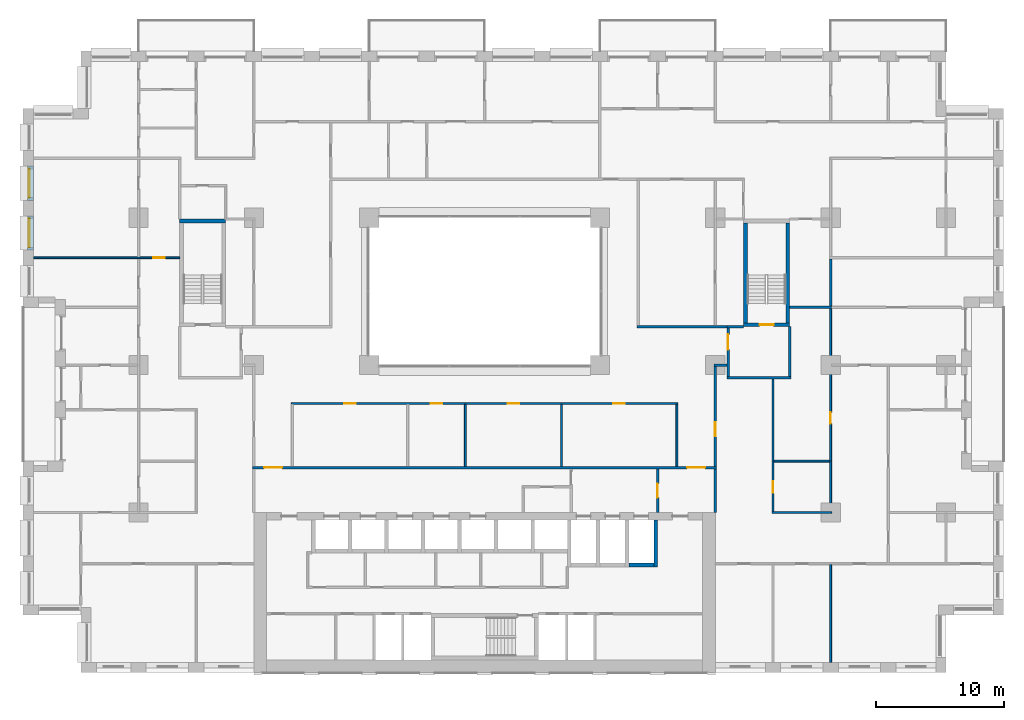
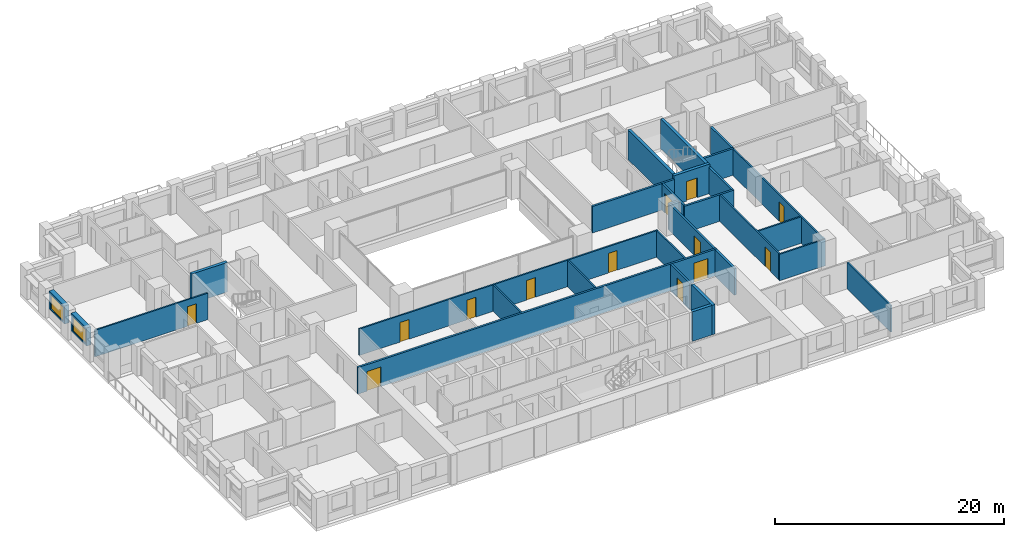
# One storey, part 12 of 20: 30 walls, 13 doors, 2 windows, 15 openings.
"""IFC4 building model written with IfcOpenShell, lengths in metres."""

from ifc_helpers import new_model, si_unit, direction, frame, frame_2d, origin, place, context, subcontext, project, spatial, rectangle, extrude, material, layer, layer_set, type_object, element, fill, save


model = new_model("IFC4")

# Units and contexts
model_context = context("Model", 3, precision=1e-05, world=origin(), true_north=direction((0.0, 1.0)))
body_context = subcontext(model_context, "Body", "Model", "MODEL_VIEW")
ifc_project = project(units=[si_unit("LENGTHUNIT", "METRE"), si_unit("AREAUNIT", "SQUARE_METRE"), si_unit("VOLUMEUNIT", "CUBIC_METRE"), si_unit("PLANEANGLEUNIT", "RADIAN"), si_unit("MASSUNIT", "GRAM", prefix="KILO")], contexts=[model_context])

# Site, building, storey
site_placement = place(None, origin())
site = spatial("IfcSite", under=ifc_project, at=site_placement, CompositionType="ELEMENT")
building_placement = place(site_placement, origin())
building = spatial("IfcBuilding", under=site, at=building_placement, Name="Brigalow Station Residences", CompositionType="ELEMENT")
storey_placement = place(building_placement, frame((0.0, 0.0, 66.75)))
storey = spatial("IfcBuildingStorey", under=building, at=storey_placement, Name="L19", CompositionType="ELEMENT", Elevation=66.75)

# Wall, opening, window
ifc_material_1 = material(Name="Clay brick masonry", Category="masonry")
ifc_layer_1 = layer(ifc_material_1, 0.449951171875)
ifc_layer_set_1 = layer_set([ifc_layer_1], Name="BRICK INFILL WALL 450")
wall_type_1 = type_object("IfcWallType", Name="BRICK INFILL WALL 450", PredefinedType="SOLIDWALL", material=ifc_layer_set_1)
wall_1_placement = place(storey_placement, frame((0.574951171875, 39.52490234375, 0.89990234375), z_axis=(0.0, 0.0, 1.0), x_axis=(0.0, -1.0, 0.0)))
wall_1 = element("IfcWall", 1, at=wall_1_placement, inside=storey, type_object=wall_type_1, Name="L19/ewall/W-L19-43", PredefinedType="SOLIDWALL", context=body_context, shape_type="SweptSolid", body=[
    extrude(rectangle(XDim=2.6748046875, YDim=0.449951171875, at=frame_2d((1.33740234375, 0.0))), origin(), (0.0, 0.0, 1.0), 1.93017578125),
])
opening_1_placement = place(wall_1_placement, frame((0.21240234375, 0.0, 0.14990234375)))
opening_1 = element("IfcOpeningElement", 2, at=opening_1_placement, cuts=wall_1, Name="Opening WT-6", PredefinedType="OPENING", context=body_context, shape_type="SweptSolid", body=[
    extrude(rectangle(XDim=2.25, YDim=1.5, at=frame_2d((1.125, 0.75))), frame((0.0, 0.23486328125, 0.0), z_axis=(0.0, -1.0, 0.0), x_axis=(1.0, 0.0, 0.0)), (0.0, 0.0, 1.0), 0.469970703125),
])
ifc_material_2 = material(Name="Anodised aluminium frame with double glazing", Category="aluminium")
window_type = type_object("IfcWindowType", Name="WINDOW 2250x1500", PartitioningType="SINGLE_PANEL", PredefinedType="WINDOW", material=ifc_material_2)
window_1_placement = place(opening_1_placement, origin())
window_1 = element("IfcWindow", 3, at=window_1_placement, inside=storey, type_object=window_type, Name="L19/window/W-L19-43", OverallHeight=1.5, OverallWidth=2.25, PartitioningType="SINGLE_PANEL", PredefinedType="WINDOW", context=body_context, shape_type="SweptSolid", body=[
    extrude(rectangle(XDim=2.25, YDim=1.5, at=frame_2d((1.125, 0.75))), frame((0.0, -0.06494140625, 0.0), z_axis=(0.0, -1.0, 0.0), x_axis=(1.0, 0.0, 0.0)), (0.0, 0.0, 1.0), 0.06005859375),
])
fill(opening_1, window_1)

wall_2_placement = place(storey_placement, frame((0.574951171875, 35.64990234375, 0.89990234375), z_axis=(0.0, 0.0, 1.0), x_axis=(0.0, -1.0, 0.0)))
wall_2 = element("IfcWall", 4, at=wall_2_placement, inside=storey, type_object=wall_type_1, Name="L19/ewall/W-L19-44", PredefinedType="SOLIDWALL", context=body_context, shape_type="SweptSolid", body=[
    extrude(rectangle(XDim=2.6748046875, YDim=0.449951171875, at=frame_2d((1.33740234375, 0.0))), origin(), (0.0, 0.0, 1.0), 1.93017578125),
])
opening_2_placement = place(wall_2_placement, frame((0.21240234375, 0.0, 0.14990234375)))
opening_2 = element("IfcOpeningElement", 5, at=opening_2_placement, cuts=wall_2, Name="Opening WT-6", PredefinedType="OPENING", context=body_context, shape_type="SweptSolid", body=[
    extrude(rectangle(XDim=2.25, YDim=1.5, at=frame_2d((1.125, 0.75))), frame((0.0, 0.23486328125, 0.0), z_axis=(0.0, -1.0, 0.0), x_axis=(1.0, 0.0, 0.0)), (0.0, 0.0, 1.0), 0.469970703125),
])
window_2_placement = place(opening_2_placement, origin())
window_2 = element("IfcWindow", 6, at=window_2_placement, inside=storey, type_object=window_type, Name="L19/window/W-L19-44", OverallHeight=1.5, OverallWidth=2.25, PartitioningType="SINGLE_PANEL", PredefinedType="WINDOW", context=body_context, shape_type="SweptSolid", body=[
    extrude(rectangle(XDim=2.25, YDim=1.5, at=frame_2d((1.125, 0.75))), frame((0.0, -0.06494140625, 0.0), z_axis=(0.0, -1.0, 0.0), x_axis=(1.0, 0.0, 0.0)), (0.0, 0.0, 1.0), 0.06005859375),
])
fill(opening_2, window_2)

# Walls
ifc_material_3 = material(Name="Concrete C80", Category="concrete")
ifc_layer_2 = layer(ifc_material_3, 0.300048828125)
ifc_layer_set_2 = layer_set([ifc_layer_2], Name="CORE SHEAR WALL 300 C80")
wall_type_2 = type_object("IfcWallType", Name="CORE SHEAR WALL 300 C80", PredefinedType="SHEAR", material=ifc_layer_set_2)
wall_3_placement = place(storey_placement, frame((47.25, 8.39990234375, 0.0), z_axis=(0.0, 0.0, 1.0), x_axis=(1.0, 0.0, 0.0)))
element("IfcWall", 7, at=wall_3_placement, inside=storey, type_object=wall_type_2, Name="CORE WALL SH-SL1-S L19", PredefinedType="SHEAR", context=body_context, shape_type="SweptSolid", body=[
    extrude(rectangle(XDim=1.949951171875, YDim=0.300048828125, at=frame_2d((0.97509765625, 0.0))), origin(), (0.0, 0.0, 1.0), 3.14990234375),
])
wall_4_placement = place(storey_placement, frame((49.35009765625, 8.25, 0.0), z_axis=(0.0, 0.0, 1.0), x_axis=(0.0, 1.0, 0.0)))
element("IfcWall", 8, at=wall_4_placement, inside=storey, type_object=wall_type_2, Name="CORE WALL SH-SL1-E L19", PredefinedType="SHEAR", context=body_context, shape_type="SweptSolid", body=[
    extrude(rectangle(XDim=3.64990234375, YDim=0.300048828125, at=frame_2d((1.824951171875, 0.0))), origin(), (0.0, 0.0, 1.0), 3.14990234375),
])
wall_5_placement = place(storey_placement, frame((12.199951171875, 35.25, 0.0), z_axis=(0.0, 0.0, 1.0), x_axis=(1.0, 0.0, 0.0)))
element("IfcWall", 9, at=wall_5_placement, inside=storey, type_object=wall_type_2, Name="CORE WALL ST-S1-N L19", PredefinedType="SHEAR", context=body_context, shape_type="SweptSolid", body=[
    extrude(rectangle(XDim=3.60009765625, YDim=0.300048828125, at=frame_2d((1.800048828125, 0.0))), origin(), (0.0, 0.0, 1.0), 3.14990234375),
])

# Wall, opening, door
wall_6_placement = place(storey_placement, frame((56.199951171875, 27.14990234375, 0.0), z_axis=(0.0, 0.0, 1.0), x_axis=(1.0, 0.0, 0.0)))
wall_6 = element("IfcWall", 10, at=wall_6_placement, inside=storey, type_object=wall_type_2, Name="CORE WALL ST-S3-S L19", PredefinedType="SHEAR", context=body_context, shape_type="SweptSolid", body=[
    extrude(rectangle(XDim=3.60009765625, YDim=0.300048828125, at=frame_2d((1.800048828125, 0.0))), origin(), (0.0, 0.0, 1.0), 3.14990234375),
])
opening_3_placement = place(wall_6_placement, frame((1.25, 0.0, 0.0)))
opening_3 = element("IfcOpeningElement", 11, at=opening_3_placement, cuts=wall_6, Name="Opening D-5018", PredefinedType="OPENING", context=body_context, shape_type="SweptSolid", body=[
    extrude(rectangle(XDim=1.10009765625, YDim=2.10009765625, at=frame_2d((0.550048828125, 1.050048828125))), frame((0.0, 0.16015625, 0.0), z_axis=(0.0, -1.0, 0.0), x_axis=(1.0, 0.0, 0.0)), (0.0, 0.0, 1.0), 0.320068359375),
])
ifc_material_4 = material(Name="Steel fire door leaf in steel frame", Category="steel")
door_type_1 = type_object("IfcDoorType", Name="STAIR DOOR 1100 x 2100 FD60S", OperationType="SINGLE_SWING_LEFT", PredefinedType="DOOR", material=ifc_material_4)
door_1_placement = place(opening_3_placement, origin())
door_1 = element("IfcDoor", 12, at=door_1_placement, inside=storey, type_object=door_type_1, Name="D-5018", OperationType="SINGLE_SWING_LEFT", OverallHeight=2.10009765625, OverallWidth=1.10009765625, PredefinedType="DOOR", context=body_context, shape_type="SweptSolid", body=[
    extrude(rectangle(XDim=1.10009765625, YDim=2.10009765625, at=frame_2d((0.550048828125, 1.050048828125))), frame((0.0, 0.02490234375, 0.0), z_axis=(0.0, -1.0, 0.0), x_axis=(1.0, 0.0, 0.0)), (0.0, 0.0, 1.0), 0.050048828125),
])
fill(opening_3, door_1)

# Walls
for number, where, z_axis, x_axis, name in (
    (13, (56.35009765625, 27.300048828125, 0.0), (0.0, 0.0, 1.0), (0.0, 1.0, 0.0), "CORE WALL ST-S3-W L19"),
    (14, (59.64990234375, 27.300048828125, 0.0), (0.0, 0.0, 1.0), (0.0, 1.0, 0.0), "CORE WALL ST-S3-E L19"),
):
    element("IfcWall", number, at=place(storey_placement, frame(where, z_axis=z_axis, x_axis=x_axis)), inside=storey, type_object=wall_type_2, Name=name, PredefinedType="SHEAR", context=body_context, shape_type="SweptSolid", body=[
        extrude(rectangle(XDim=7.800048828125, YDim=0.300048828125, at=frame_2d((3.89990234375, 0.0))), origin(), (0.0, 0.0, 1.0), 3.14990234375),
    ])
ifc_material_5 = material(Name="Concrete blockwork", Category="masonry")
ifc_layer_3 = layer(ifc_material_5, 0.199951171875)
ifc_layer_set_3 = layer_set([ifc_layer_3], Name="FIRE RATED CORE PARTITION 200")
wall_type_3 = type_object("IfcWallType", Name="FIRE RATED CORE PARTITION 200", PredefinedType="PARTITIONING", material=ifc_layer_set_3)
wall_7_placement = place(storey_placement, frame((54.89990234375, 23.0, 0.0), z_axis=(0.0, 0.0, 1.0), x_axis=(1.0, 0.0, 0.0)))
element("IfcWall", 15, at=wall_7_placement, inside=storey, type_object=wall_type_3, Name="PW-5024", PredefinedType="PARTITIONING", context=body_context, shape_type="SweptSolid", body=[
    extrude(rectangle(XDim=5.0, YDim=0.199951171875, at=frame_2d((2.5, 0.0))), origin(), (0.0, 0.0, 1.0), 2.830078125),
])
wall_8_placement = place(storey_placement, frame((54.89990234375, 27.0, 0.0), z_axis=(0.0, 0.0, 1.0), x_axis=(1.0, 0.0, 0.0)))
element("IfcWall", 16, at=wall_8_placement, inside=storey, type_object=wall_type_3, Name="PW-5026", PredefinedType="PARTITIONING", context=body_context, shape_type="SweptSolid", body=[
    extrude(rectangle(XDim=1.300048828125, YDim=0.199951171875, at=frame_2d((0.64990234375, 0.0))), origin(), (0.0, 0.0, 1.0), 2.830078125),
])

# Wall, opening, door
wall_9_placement = place(storey_placement, frame((49.5, 12.5, 0.0), z_axis=(0.0, 0.0, 1.0), x_axis=(0.0, 1.0, 0.0)))
wall_9 = element("IfcWall", 17, at=wall_9_placement, inside=storey, type_object=wall_type_3, Name="PW-5015", PredefinedType="PARTITIONING", context=body_context, shape_type="SweptSolid", body=[
    extrude(rectangle(XDim=3.39990234375, YDim=0.199951171875, at=frame_2d((1.699951171875, 0.0))), origin(), (0.0, 0.0, 1.0), 2.830078125),
])
opening_4_placement = place(wall_9_placement, frame((1.14990234375, 0.0, 0.0)))
opening_4 = element("IfcOpeningElement", 18, at=opening_4_placement, cuts=wall_9, Name="Opening D-5014", PredefinedType="OPENING", context=body_context, shape_type="SweptSolid", body=[
    extrude(rectangle(XDim=1.10009765625, YDim=2.10009765625, at=frame_2d((0.550048828125, 1.050048828125))), frame((0.0, 0.10986328125, 0.0), z_axis=(0.0, -1.0, 0.0), x_axis=(1.0, 0.0, 0.0)), (0.0, 0.0, 1.0), 0.219970703125),
])
ifc_material_6 = material(Name="Steel fire door leaf in steel frame", Category="steel")
door_type_2 = type_object("IfcDoorType", Name="LOBBY DOOR 1100 x 2100 FD60S", OperationType="SINGLE_SWING_LEFT", PredefinedType="DOOR", material=ifc_material_6)
door_2_placement = place(opening_4_placement, origin())
door_2 = element("IfcDoor", 19, at=door_2_placement, inside=storey, type_object=door_type_2, Name="D-5014", OperationType="SINGLE_SWING_LEFT", OverallHeight=2.10009765625, OverallWidth=1.10009765625, PredefinedType="DOOR", context=body_context, shape_type="SweptSolid", body=[
    extrude(rectangle(XDim=1.10009765625, YDim=2.10009765625, at=frame_2d((0.550048828125, 1.050048828125))), frame((0.0, 0.02490234375, 0.0), z_axis=(0.0, -1.0, 0.0), x_axis=(1.0, 0.0, 0.0)), (0.0, 0.0, 1.0), 0.050048828125),
])
fill(opening_4, door_2)

# Wall
wall_10_placement = place(storey_placement, frame((54.0, 12.5, 0.0), z_axis=(0.0, 0.0, 1.0), x_axis=(0.0, 1.0, 0.0)))
element("IfcWall", 20, at=wall_10_placement, inside=storey, type_object=wall_type_3, Name="PW-5016", PredefinedType="PARTITIONING", context=body_context, shape_type="SweptSolid", body=[
    extrude(rectangle(XDim=3.39990234375, YDim=0.199951171875, at=frame_2d((1.699951171875, 0.0))), origin(), (0.0, 0.0, 1.0), 2.830078125),
])

# Wall, opening, door
wall_11_placement = place(storey_placement, frame((55.0, 23.10009765625, 0.0), z_axis=(0.0, 0.0, 1.0), x_axis=(0.0, 1.0, 0.0)))
wall_11 = element("IfcWall", 21, at=wall_11_placement, inside=storey, type_object=wall_type_3, Name="PW-5036", PredefinedType="PARTITIONING", context=body_context, shape_type="SweptSolid", body=[
    extrude(rectangle(XDim=3.7998046875, YDim=0.199951171875, at=frame_2d((1.89990234375, 0.0))), origin(), (0.0, 0.0, 1.0), 2.830078125),
])
opening_5_placement = place(wall_11_placement, frame((2.10009765625, 0.0, 0.0)))
opening_5 = element("IfcOpeningElement", 22, at=opening_5_placement, cuts=wall_11, Name="Opening D-5019", PredefinedType="OPENING", context=body_context, shape_type="SweptSolid", body=[
    extrude(rectangle(XDim=1.199951171875, YDim=2.10009765625, at=frame_2d((0.60009765625, 1.050048828125))), frame((0.0, 0.10986328125, 0.0), z_axis=(0.0, -1.0, 0.0), x_axis=(1.0, 0.0, 0.0)), (0.0, 0.0, 1.0), 0.219970703125),
])
ifc_material_7 = material(Name="Steel fire door leaf in steel frame", Category="steel")
door_type_3 = type_object("IfcDoorType", Name="STAIR LOBBY DOOR 1200 x 2100 FD60S", OperationType="SINGLE_SWING_LEFT", PredefinedType="DOOR", material=ifc_material_7)
door_3_placement = place(opening_5_placement, frame((1.199951171875, 0.0, 0.0), z_axis=(0.0, 0.0, 1.0), x_axis=(-1.0, 0.0, 0.0)))
door_3 = element("IfcDoor", 23, at=door_3_placement, inside=storey, type_object=door_type_3, Name="D-5019", OperationType="SINGLE_SWING_LEFT", OverallHeight=2.10009765625, OverallWidth=1.199951171875, PredefinedType="DOOR", context=body_context, shape_type="SweptSolid", body=[
    extrude(rectangle(XDim=1.199951171875, YDim=2.10009765625, at=frame_2d((0.60009765625, 1.050048828125))), frame((0.0, 0.02490234375, 0.0), z_axis=(0.0, -1.0, 0.0), x_axis=(1.0, 0.0, 0.0)), (0.0, 0.0, 1.0), 0.050048828125),
])
fill(opening_5, door_3)

# Wall
wall_12_placement = place(storey_placement, frame((59.800048828125, 23.10009765625, 0.0), z_axis=(0.0, 0.0, 1.0), x_axis=(0.0, 1.0, 0.0)))
element("IfcWall", 24, at=wall_12_placement, inside=storey, type_object=wall_type_3, Name="PW-5037", PredefinedType="PARTITIONING", context=body_context, shape_type="SweptSolid", body=[
    extrude(rectangle(XDim=3.89990234375, YDim=0.199951171875, at=frame_2d((1.949951171875, 0.0))), origin(), (0.0, 0.0, 1.0), 2.830078125),
])

# Wall, openings, doors
ifc_material_8 = material(Name="Plasterboard on steel stud partition", Category="steel")
ifc_layer_4 = layer(ifc_material_8, 0.14990234375)
ifc_layer_set_4 = layer_set([ifc_layer_4], Name="FLAT PARTITION 150")
wall_type_4 = type_object("IfcWallType", Name="FLAT PARTITION 150", PredefinedType="PARTITIONING", material=ifc_layer_set_4)
wall_13_placement = place(storey_placement, frame((20.925048828125, 21.0, 0.0), z_axis=(0.0, 0.0, 1.0), x_axis=(1.0, 0.0, 0.0)))
wall_13 = element("IfcWall", 25, at=wall_13_placement, inside=storey, type_object=wall_type_4, Name="PW-1G01", PredefinedType="PARTITIONING", context=body_context, shape_type="SweptSolid", body=[
    extrude(rectangle(XDim=30.14990234375, YDim=0.14990234375, at=frame_2d((15.074951171875, 0.0))), origin(), (0.0, 0.0, 1.0), 2.830078125),
])
opening_6_placement = place(wall_13_placement, frame((4.125, 0.0, 0.0)))
opening_6 = element("IfcOpeningElement", 26, at=opening_6_placement, cuts=wall_13, Name="Opening D-1G65", PredefinedType="OPENING", context=body_context, shape_type="SweptSolid", body=[
    extrude(rectangle(XDim=0.89990234375, YDim=2.10009765625, at=frame_2d((0.449951171875, 1.050048828125))), frame((0.0, 0.0849609375, 0.0), z_axis=(0.0, -1.0, 0.0), x_axis=(1.0, 0.0, 0.0)), (0.0, 0.0, 1.0), 0.169921875),
])
opening_7_placement = place(wall_13_placement, frame((10.875, 0.0, 0.0)))
opening_7 = element("IfcOpeningElement", 27, at=opening_7_placement, cuts=wall_13, Name="Opening D-1G66", PredefinedType="OPENING", context=body_context, shape_type="SweptSolid", body=[
    extrude(rectangle(XDim=0.89990234375, YDim=2.10009765625, at=frame_2d((0.449951171875, 1.050048828125))), frame((0.0, 0.0849609375, 0.0), z_axis=(0.0, -1.0, 0.0), x_axis=(1.0, 0.0, 0.0)), (0.0, 0.0, 1.0), 0.169921875),
])
opening_8_placement = place(wall_13_placement, frame((16.875, 0.0, 0.0)))
opening_8 = element("IfcOpeningElement", 28, at=opening_8_placement, cuts=wall_13, Name="Opening D-1G67", PredefinedType="OPENING", context=body_context, shape_type="SweptSolid", body=[
    extrude(rectangle(XDim=0.89990234375, YDim=2.10009765625, at=frame_2d((0.449951171875, 1.050048828125))), frame((0.0, 0.0849609375, 0.0), z_axis=(0.0, -1.0, 0.0), x_axis=(1.0, 0.0, 0.0)), (0.0, 0.0, 1.0), 0.169921875),
])
opening_9_placement = place(wall_13_placement, frame((25.125, 0.0, 0.0)))
opening_9 = element("IfcOpeningElement", 29, at=opening_9_placement, cuts=wall_13, Name="Opening D-1G68", PredefinedType="OPENING", context=body_context, shape_type="SweptSolid", body=[
    extrude(rectangle(XDim=0.89990234375, YDim=2.10009765625, at=frame_2d((0.449951171875, 1.050048828125))), frame((0.0, 0.0849609375, 0.0), z_axis=(0.0, -1.0, 0.0), x_axis=(1.0, 0.0, 0.0)), (0.0, 0.0, 1.0), 0.169921875),
])
ifc_material_9 = material(Name="Solid-core timber door leaf", Category="wood")
door_type_4 = type_object("IfcDoorType", Name="INTERNAL DOOR 900 x 2100", OperationType="SINGLE_SWING_LEFT", PredefinedType="DOOR", material=ifc_material_9)
door_4_placement = place(opening_6_placement, frame((0.89990234375, 0.0, 0.0), z_axis=(0.0, 0.0, 1.0), x_axis=(-1.0, 0.0, 0.0)))
door_4 = element("IfcDoor", 30, at=door_4_placement, inside=storey, type_object=door_type_4, Name="D-1G65", OperationType="SINGLE_SWING_RIGHT", OverallHeight=2.10009765625, OverallWidth=0.89990234375, PredefinedType="DOOR", context=body_context, shape_type="SweptSolid", body=[
    extrude(rectangle(XDim=0.89990234375, YDim=2.10009765625, at=frame_2d((0.449951171875, 1.050048828125))), frame((0.0, 0.02490234375, 0.0), z_axis=(0.0, -1.0, 0.0), x_axis=(1.0, 0.0, 0.0)), (0.0, 0.0, 1.0), 0.050048828125),
])
fill(opening_6, door_4)
door_5_placement = place(opening_7_placement, frame((0.89990234375, 0.0, 0.0), z_axis=(0.0, 0.0, 1.0), x_axis=(-1.0, 0.0, 0.0)))
door_5 = element("IfcDoor", 31, at=door_5_placement, inside=storey, type_object=door_type_4, Name="D-1G66", OperationType="SINGLE_SWING_LEFT", OverallHeight=2.10009765625, OverallWidth=0.89990234375, PredefinedType="DOOR", context=body_context, shape_type="SweptSolid", body=[
    extrude(rectangle(XDim=0.89990234375, YDim=2.10009765625, at=frame_2d((0.449951171875, 1.050048828125))), frame((0.0, 0.02490234375, 0.0), z_axis=(0.0, -1.0, 0.0), x_axis=(1.0, 0.0, 0.0)), (0.0, 0.0, 1.0), 0.050048828125),
])
fill(opening_7, door_5)
door_6_placement = place(opening_8_placement, frame((0.89990234375, 0.0, 0.0), z_axis=(0.0, 0.0, 1.0), x_axis=(-1.0, 0.0, 0.0)))
door_6 = element("IfcDoor", 32, at=door_6_placement, inside=storey, type_object=door_type_4, Name="D-1G67", OperationType="SINGLE_SWING_LEFT", OverallHeight=2.10009765625, OverallWidth=0.89990234375, PredefinedType="DOOR", context=body_context, shape_type="SweptSolid", body=[
    extrude(rectangle(XDim=0.89990234375, YDim=2.10009765625, at=frame_2d((0.449951171875, 1.050048828125))), frame((0.0, 0.02490234375, 0.0), z_axis=(0.0, -1.0, 0.0), x_axis=(1.0, 0.0, 0.0)), (0.0, 0.0, 1.0), 0.050048828125),
])
fill(opening_8, door_6)
door_7_placement = place(opening_9_placement, frame((0.89990234375, 0.0, 0.0), z_axis=(0.0, 0.0, 1.0), x_axis=(-1.0, 0.0, 0.0)))
door_7 = element("IfcDoor", 33, at=door_7_placement, inside=storey, type_object=door_type_4, Name="D-1G68", OperationType="SINGLE_SWING_LEFT", OverallHeight=2.10009765625, OverallWidth=0.89990234375, PredefinedType="DOOR", context=body_context, shape_type="SweptSolid", body=[
    extrude(rectangle(XDim=0.89990234375, YDim=2.10009765625, at=frame_2d((0.449951171875, 1.050048828125))), frame((0.0, 0.02490234375, 0.0), z_axis=(0.0, -1.0, 0.0), x_axis=(1.0, 0.0, 0.0)), (0.0, 0.0, 1.0), 0.050048828125),
])
fill(opening_9, door_7)

# Wall
wall_14_placement = place(storey_placement, frame((58.425048828125, 12.5, 0.0), z_axis=(0.0, 0.0, 1.0), x_axis=(1.0, 0.0, 0.0)))
element("IfcWall", 34, at=wall_14_placement, inside=storey, type_object=wall_type_4, Name="PW-1G13", PredefinedType="PARTITIONING", context=body_context, shape_type="SweptSolid", body=[
    extrude(rectangle(XDim=4.64990234375, YDim=0.14990234375, at=frame_2d((2.324951171875, 0.0))), origin(), (0.0, 0.0, 1.0), 2.830078125),
])

# Wall, opening, door
wall_15_placement = place(storey_placement, frame((0.800048828125, 32.375, 0.0), z_axis=(0.0, 0.0, 1.0), x_axis=(1.0, 0.0, 0.0)))
wall_15 = element("IfcWall", 35, at=wall_15_placement, inside=storey, type_object=wall_type_4, Name="PW-1G17", PredefinedType="PARTITIONING", context=body_context, shape_type="SweptSolid", body=[
    extrude(rectangle(XDim=11.39990234375, YDim=0.14990234375, at=frame_2d((5.699951171875, 0.0))), origin(), (0.0, 0.0, 1.0), 2.830078125),
])
opening_10_placement = place(wall_15_placement, frame((9.35009765625, 0.0, 0.0)))
opening_10 = element("IfcOpeningElement", 36, at=opening_10_placement, cuts=wall_15, Name="Opening D-1G13", PredefinedType="OPENING", context=body_context, shape_type="SweptSolid", body=[
    extrude(rectangle(XDim=0.89990234375, YDim=2.10009765625, at=frame_2d((0.449951171875, 1.050048828125))), frame((0.0, 0.0849609375, 0.0), z_axis=(0.0, -1.0, 0.0), x_axis=(1.0, 0.0, 0.0)), (0.0, 0.0, 1.0), 0.169921875),
])
door_8_placement = place(opening_10_placement, origin())
door_8 = element("IfcDoor", 37, at=door_8_placement, inside=storey, type_object=door_type_4, Name="D-1G13", OperationType="SINGLE_SWING_LEFT", OverallHeight=2.10009765625, OverallWidth=0.89990234375, PredefinedType="DOOR", context=body_context, shape_type="SweptSolid", body=[
    extrude(rectangle(XDim=0.89990234375, YDim=2.10009765625, at=frame_2d((0.449951171875, 1.050048828125))), frame((0.0, 0.02490234375, 0.0), z_axis=(0.0, -1.0, 0.0), x_axis=(1.0, 0.0, 0.0)), (0.0, 0.0, 1.0), 0.050048828125),
])
fill(opening_10, door_8)

# Walls
wall_16_placement = place(storey_placement, frame((58.574951171875, 16.5, 0.0), z_axis=(0.0, 0.0, 1.0), x_axis=(1.0, 0.0, 0.0)))
element("IfcWall", 38, at=wall_16_placement, inside=storey, type_object=wall_type_4, Name="PW-1G20", PredefinedType="PARTITIONING", context=body_context, shape_type="SweptSolid", body=[
    extrude(rectangle(XDim=4.35009765625, YDim=0.14990234375, at=frame_2d((2.175048828125, 0.0))), origin(), (0.0, 0.0, 1.0), 2.830078125),
])
wall_17_placement = place(storey_placement, frame((51.0, 16.10009765625, 0.0), z_axis=(0.0, 0.0, 1.0), x_axis=(0.0, 1.0, 0.0)))
element("IfcWall", 39, at=wall_17_placement, inside=storey, type_object=wall_type_4, Name="PW-1G46", PredefinedType="PARTITIONING", context=body_context, shape_type="SweptSolid", body=[
    extrude(rectangle(XDim=4.824951171875, YDim=0.14990234375, at=frame_2d((2.41259765625, 0.0))), origin(), (0.0, 0.0, 1.0), 2.830078125),
])
wall_18_placement = place(storey_placement, frame((63.0, 0.800048828125, 0.0), z_axis=(0.0, 0.0, 1.0), x_axis=(0.0, 1.0, 0.0)))
element("IfcWall", 40, at=wall_18_placement, inside=storey, type_object=wall_type_4, Name="PW-1G66", PredefinedType="PARTITIONING", context=body_context, shape_type="SweptSolid", body=[
    extrude(rectangle(XDim=7.625, YDim=0.14990234375, at=frame_2d((3.8125, 0.0))), origin(), (0.0, 0.0, 1.0), 2.830078125),
])

# Wall, opening, door
wall_19_placement = place(storey_placement, frame((63.0, 12.574951171875, 0.0), z_axis=(0.0, 0.0, 1.0), x_axis=(0.0, 1.0, 0.0)))
wall_19 = element("IfcWall", 41, at=wall_19_placement, inside=storey, type_object=wall_type_4, Name="PW-1G67", PredefinedType="PARTITIONING", context=body_context, shape_type="SweptSolid", body=[
    extrude(rectangle(XDim=15.85009765625, YDim=0.14990234375, at=frame_2d((7.925048828125, 0.0))), origin(), (0.0, 0.0, 1.0), 2.830078125),
])
opening_11_placement = place(wall_19_placement, frame((6.85009765625, 0.0, 0.0)))
opening_11 = element("IfcOpeningElement", 42, at=opening_11_placement, cuts=wall_19, Name="Opening D-1G62", PredefinedType="OPENING", context=body_context, shape_type="SweptSolid", body=[
    extrude(rectangle(XDim=0.89990234375, YDim=2.10009765625, at=frame_2d((0.449951171875, 1.050048828125))), frame((0.0, 0.0849609375, 0.0), z_axis=(0.0, -1.0, 0.0), x_axis=(1.0, 0.0, 0.0)), (0.0, 0.0, 1.0), 0.169921875),
])
door_9_placement = place(opening_11_placement, origin())
door_9 = element("IfcDoor", 43, at=door_9_placement, inside=storey, type_object=door_type_4, Name="D-1G62", OperationType="SINGLE_SWING_LEFT", OverallHeight=2.10009765625, OverallWidth=0.89990234375, PredefinedType="DOOR", context=body_context, shape_type="SweptSolid", body=[
    extrude(rectangle(XDim=0.89990234375, YDim=2.10009765625, at=frame_2d((0.449951171875, 1.050048828125))), frame((0.0, 0.02490234375, 0.0), z_axis=(0.0, -1.0, 0.0), x_axis=(1.0, 0.0, 0.0)), (0.0, 0.0, 1.0), 0.050048828125),
])
fill(opening_11, door_9)

wall_20_placement = place(storey_placement, frame((58.5, 12.574951171875, 0.0), z_axis=(0.0, 0.0, 1.0), x_axis=(0.0, 1.0, 0.0)))
wall_20 = element("IfcWall", 44, at=wall_20_placement, inside=storey, type_object=wall_type_4, Name="PW-1G80", PredefinedType="PARTITIONING", context=body_context, shape_type="SweptSolid", body=[
    extrude(rectangle(XDim=10.324951171875, YDim=0.14990234375, at=frame_2d((5.16259765625, 0.0))), origin(), (0.0, 0.0, 1.0), 2.830078125),
])
opening_12_placement = place(wall_20_placement, frame((1.47509765625, 0.0, 0.0)))
opening_12 = element("IfcOpeningElement", 45, at=opening_12_placement, cuts=wall_20, Name="Opening D-1G52", PredefinedType="OPENING", context=body_context, shape_type="SweptSolid", body=[
    extrude(rectangle(XDim=0.89990234375, YDim=2.10009765625, at=frame_2d((0.449951171875, 1.050048828125))), frame((0.0, 0.0849609375, 0.0), z_axis=(0.0, -1.0, 0.0), x_axis=(1.0, 0.0, 0.0)), (0.0, 0.0, 1.0), 0.169921875),
])
door_10_placement = place(opening_12_placement, frame((0.89990234375, 0.0, 0.0), z_axis=(0.0, 0.0, 1.0), x_axis=(-1.0, 0.0, 0.0)))
door_10 = element("IfcDoor", 46, at=door_10_placement, inside=storey, type_object=door_type_4, Name="D-1G52", OperationType="SINGLE_SWING_LEFT", OverallHeight=2.10009765625, OverallWidth=0.89990234375, PredefinedType="DOOR", context=body_context, shape_type="SweptSolid", body=[
    extrude(rectangle(XDim=0.89990234375, YDim=2.10009765625, at=frame_2d((0.449951171875, 1.050048828125))), frame((0.0, 0.02490234375, 0.0), z_axis=(0.0, -1.0, 0.0), x_axis=(1.0, 0.0, 0.0)), (0.0, 0.0, 1.0), 0.050048828125),
])
fill(opening_12, door_10)

# Walls
for number, where, z_axis, x_axis, name in (
    (47, (34.5, 16.10009765625, 0.0), (0.0, 0.0, 1.0), (0.0, 1.0, 0.0), "PW-1G82"),
    (48, (42.0, 16.10009765625, 0.0), (0.0, 0.0, 1.0), (0.0, 1.0, 0.0), "PW-1G83"),
):
    element("IfcWall", number, at=place(storey_placement, frame(where, z_axis=z_axis, x_axis=x_axis)), inside=storey, type_object=wall_type_4, Name=name, PredefinedType="PARTITIONING", context=body_context, shape_type="SweptSolid", body=[
        extrude(rectangle(XDim=4.824951171875, YDim=0.14990234375, at=frame_2d((2.41259765625, 0.0))), origin(), (0.0, 0.0, 1.0), 2.830078125),
    ])
ifc_material_10 = material(Name="Plasterboard on steel stud partition", Category="steel")
ifc_layer_5 = layer(ifc_material_10, 0.199951171875)
ifc_layer_set_5 = layer_set([ifc_layer_5], Name="PARTY AND CORRIDOR WALL 200")
wall_type_5 = type_object("IfcWallType", Name="PARTY AND CORRIDOR WALL 200", PredefinedType="PARTITIONING", material=ifc_layer_set_5)
wall_21_placement = place(storey_placement, frame((53.89990234375, 24.0, 0.0), z_axis=(0.0, 0.0, 1.0), x_axis=(1.0, 0.0, 0.0)))
element("IfcWall", 49, at=wall_21_placement, inside=storey, type_object=wall_type_5, Name="PW-1G05", PredefinedType="PARTITIONING", context=body_context, shape_type="SweptSolid", body=[
    extrude(rectangle(XDim=1.0, YDim=0.199951171875, at=frame_2d((0.5, 0.0))), origin(), (0.0, 0.0, 1.0), 2.830078125),
])
wall_22_placement = place(storey_placement, frame((47.89990234375, 27.0, 0.0), z_axis=(0.0, 0.0, 1.0), x_axis=(1.0, 0.0, 0.0)))
element("IfcWall", 50, at=wall_22_placement, inside=storey, type_object=wall_type_5, Name="PW-1G07", PredefinedType="PARTITIONING", context=body_context, shape_type="SweptSolid", body=[
    extrude(rectangle(XDim=7.0, YDim=0.199951171875, at=frame_2d((3.5, 0.0))), origin(), (0.0, 0.0, 1.0), 2.830078125),
])
wall_23_placement = place(storey_placement, frame((59.800048828125, 28.5, 0.0), z_axis=(0.0, 0.0, 1.0), x_axis=(1.0, 0.0, 0.0)))
element("IfcWall", 51, at=wall_23_placement, inside=storey, type_object=wall_type_5, Name="PW-1G23", PredefinedType="PARTITIONING", context=body_context, shape_type="SweptSolid", body=[
    extrude(rectangle(XDim=3.27490234375, YDim=0.199951171875, at=frame_2d((1.637451171875, 0.0))), origin(), (0.0, 0.0, 1.0), 2.830078125),
])

# Wall, openings, doors
wall_24_placement = place(storey_placement, frame((17.89990234375, 16.0, 0.0), z_axis=(0.0, 0.0, 1.0), x_axis=(1.0, 0.0, 0.0)))
wall_24 = element("IfcWall", 52, at=wall_24_placement, inside=storey, type_object=wall_type_5, Name="PW-1G38", PredefinedType="PARTITIONING", context=body_context, shape_type="SweptSolid", body=[
    extrude(rectangle(XDim=36.2001953125, YDim=0.199951171875, at=frame_2d((18.10009765625, 0.0))), origin(), (0.0, 0.0, 1.0), 2.830078125),
])
opening_13_placement = place(wall_24_placement, frame((0.89990234375, 0.0, 0.0)))
opening_13 = element("IfcOpeningElement", 53, at=opening_13_placement, cuts=wall_24, Name="Opening D-1G01", PredefinedType="OPENING", context=body_context, shape_type="SweptSolid", body=[
    extrude(rectangle(XDim=1.39990234375, YDim=2.10009765625, at=frame_2d((0.699951171875, 1.050048828125))), frame((0.0, 0.10986328125, 0.0), z_axis=(0.0, -1.0, 0.0), x_axis=(1.0, 0.0, 0.0)), (0.0, 0.0, 1.0), 0.219970703125),
])
opening_14_placement = place(wall_24_placement, frame((33.89990234375, 0.0, 0.0)))
opening_14 = element("IfcOpeningElement", 54, at=opening_14_placement, cuts=wall_24, Name="Opening D-1G02", PredefinedType="OPENING", context=body_context, shape_type="SweptSolid", body=[
    extrude(rectangle(XDim=1.39990234375, YDim=2.10009765625, at=frame_2d((0.699951171875, 1.050048828125))), frame((0.0, 0.10986328125, 0.0), z_axis=(0.0, -1.0, 0.0), x_axis=(1.0, 0.0, 0.0)), (0.0, 0.0, 1.0), 0.219970703125),
])
ifc_material_11 = material(Name="Solid-core timber door leaf", Category="wood")
door_type_5 = type_object("IfcDoorType", Name="CORRIDOR FIRE DOOR 1400 x 2100 FRL -/60/30", OperationType="DOUBLE_DOOR_SINGLE_SWING", PredefinedType="DOOR", material=ifc_material_11)
door_11_placement = place(opening_13_placement, frame((1.39990234375, 0.0, 0.0), z_axis=(0.0, 0.0, 1.0), x_axis=(-1.0, 0.0, 0.0)))
door_11 = element("IfcDoor", 55, at=door_11_placement, inside=storey, type_object=door_type_5, Name="D-1G01", OperationType="DOUBLE_DOOR_SINGLE_SWING", OverallHeight=2.10009765625, OverallWidth=1.39990234375, PredefinedType="DOOR", context=body_context, shape_type="SweptSolid", body=[
    extrude(rectangle(XDim=1.39990234375, YDim=2.10009765625, at=frame_2d((0.699951171875, 1.050048828125))), frame((0.0, 0.02490234375, 0.0), z_axis=(0.0, -1.0, 0.0), x_axis=(1.0, 0.0, 0.0)), (0.0, 0.0, 1.0), 0.050048828125),
])
fill(opening_13, door_11)
door_12_placement = place(opening_14_placement, frame((1.39990234375, 0.0, 0.0), z_axis=(0.0, 0.0, 1.0), x_axis=(-1.0, 0.0, 0.0)))
door_12 = element("IfcDoor", 56, at=door_12_placement, inside=storey, type_object=door_type_5, Name="D-1G02", OperationType="DOUBLE_DOOR_SINGLE_SWING", OverallHeight=2.10009765625, OverallWidth=1.39990234375, PredefinedType="DOOR", context=body_context, shape_type="SweptSolid", body=[
    extrude(rectangle(XDim=1.39990234375, YDim=2.10009765625, at=frame_2d((0.699951171875, 1.050048828125))), frame((0.0, 0.02490234375, 0.0), z_axis=(0.0, -1.0, 0.0), x_axis=(1.0, 0.0, 0.0)), (0.0, 0.0, 1.0), 0.050048828125),
])
fill(opening_14, door_12)

# Wall, opening, door
wall_25_placement = place(storey_placement, frame((54.0, 16.10009765625, 0.0), z_axis=(0.0, 0.0, 1.0), x_axis=(0.0, 1.0, 0.0)))
wall_25 = element("IfcWall", 57, at=wall_25_placement, inside=storey, type_object=wall_type_5, Name="PW-1G44", PredefinedType="PARTITIONING", context=body_context, shape_type="SweptSolid", body=[
    extrude(rectangle(XDim=7.7998046875, YDim=0.199951171875, at=frame_2d((3.89990234375, 0.0))), origin(), (0.0, 0.0, 1.0), 2.830078125),
])
opening_15_placement = place(wall_25_placement, frame((2.35009765625, 0.0, 0.0)))
opening_15 = element("IfcOpeningElement", 58, at=opening_15_placement, cuts=wall_25, Name="Opening D-1G64", PredefinedType="OPENING", context=body_context, shape_type="SweptSolid", body=[
    extrude(rectangle(XDim=1.10009765625, YDim=2.10009765625, at=frame_2d((0.550048828125, 1.050048828125))), frame((0.0, 0.10986328125, 0.0), z_axis=(0.0, -1.0, 0.0), x_axis=(1.0, 0.0, 0.0)), (0.0, 0.0, 1.0), 0.219970703125),
])
ifc_material_12 = material(Name="Solid-core timber door leaf", Category="wood")
door_type_6 = type_object("IfcDoorType", Name="FLAT ENTRANCE DOOR 1100 x 2100 FRL -/60/30", OperationType="SINGLE_SWING_LEFT", PredefinedType="DOOR", material=ifc_material_12)
door_13_placement = place(opening_15_placement, frame((1.10009765625, 0.0, 0.0), z_axis=(0.0, 0.0, 1.0), x_axis=(-1.0, 0.0, 0.0)))
door_13 = element("IfcDoor", 59, at=door_13_placement, inside=storey, type_object=door_type_6, Name="D-1G64", OperationType="SINGLE_SWING_LEFT", OverallHeight=2.10009765625, OverallWidth=1.10009765625, PredefinedType="DOOR", context=body_context, shape_type="SweptSolid", body=[
    extrude(rectangle(XDim=1.10009765625, YDim=2.10009765625, at=frame_2d((0.550048828125, 1.050048828125))), frame((0.0, 0.02490234375, 0.0), z_axis=(0.0, -1.0, 0.0), x_axis=(1.0, 0.0, 0.0)), (0.0, 0.0, 1.0), 0.050048828125),
])
fill(opening_15, door_13)

# Wall
wall_26_placement = place(storey_placement, frame((63.0, 28.574951171875, 0.0), z_axis=(0.0, 0.0, 1.0), x_axis=(0.0, 1.0, 0.0)))
element("IfcWall", 60, at=wall_26_placement, inside=storey, type_object=wall_type_5, Name="PW-1G70", PredefinedType="PARTITIONING", context=body_context, shape_type="SweptSolid", body=[
    extrude(rectangle(XDim=3.699951171875, YDim=0.199951171875, at=frame_2d((1.85009765625, 0.0))), origin(), (0.0, 0.0, 1.0), 2.830078125),
])

save(model, "model.ifc")
